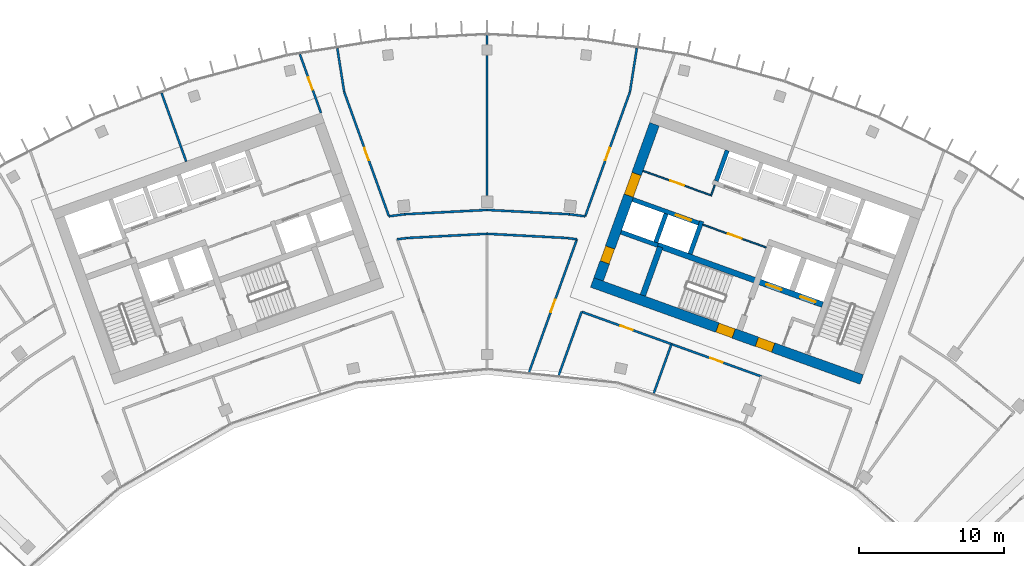
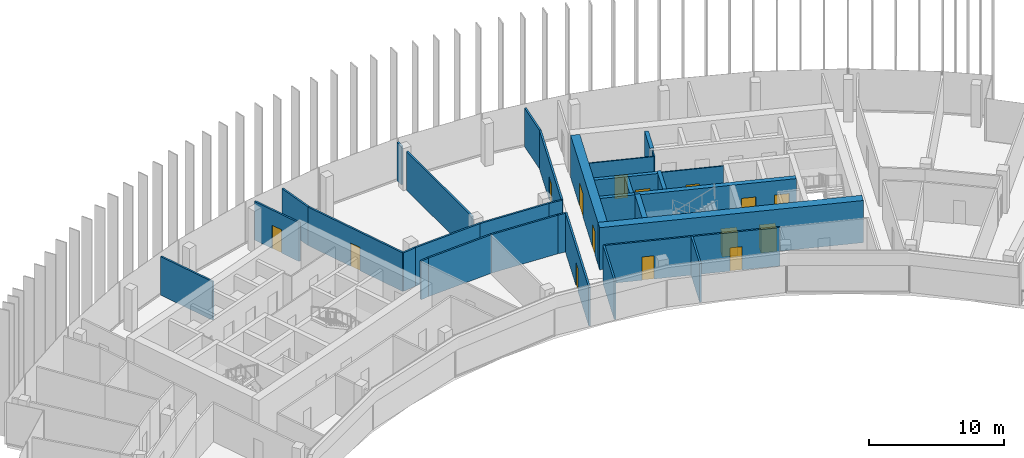
# One storey, part 15 of 19: 33 walls, 15 doors, 15 openings.
"""IFC4 building model written with IfcOpenShell, lengths in metres."""

from ifc_helpers import new_model, si_unit, direction, frame, frame_2d, origin, place, context, subcontext, project, spatial, rectangle, extrude, material, layer, layer_set, type_object, element, fill, save


model = new_model("IFC4")

# Units and contexts
model_context = context("Model", 3, precision=1e-05, world=origin(), true_north=direction((0.0, 1.0)))
body_context = subcontext(model_context, "Body", "Model", "MODEL_VIEW")
ifc_project = project(units=[si_unit("LENGTHUNIT", "METRE"), si_unit("AREAUNIT", "SQUARE_METRE"), si_unit("VOLUMEUNIT", "CUBIC_METRE"), si_unit("PLANEANGLEUNIT", "RADIAN"), si_unit("MASSUNIT", "GRAM", prefix="KILO")], contexts=[model_context])

# Site, building, storey
site_placement = place(None, origin())
site = spatial("IfcSite", under=ifc_project, at=site_placement, CompositionType="ELEMENT")
building_placement = place(site_placement, origin())
building = spatial("IfcBuilding", under=site, at=building_placement, Name="Stone Belt Terrace Tower", CompositionType="ELEMENT")
storey_placement = place(building_placement, frame((0.0, 0.0, 258.0)))
storey = spatial("IfcBuildingStorey", under=building, at=storey_placement, Name="L62", CompositionType="ELEMENT", Elevation=258.0)

# Wall, opening, door
ifc_material_1 = material(Name="Plasterboard partition")
ifc_layer_1 = layer(ifc_material_1, 0.10009765625)
ifc_layer_set_1 = layer_set([ifc_layer_1], Name="Core partition 100")
wall_type_1 = type_object("IfcWallType", Name="Core partition 100", PredefinedType="PARTITIONING", material=ifc_layer_set_1)
wall_1_placement = place(storey_placement, frame((19.29052734375, 51.829833984375, 0.0), z_axis=(0.0, 0.0, 1.0), x_axis=(-0.940930240745, 0.338600475563, 0.0)))
wall_1 = element("IfcWall", 1, at=wall_1_placement, inside=storey, type_object=wall_type_1, Name="Core B wall", PredefinedType="PARTITIONING", context=body_context, shape_type="SweptSolid", body=[
    extrude(rectangle(XDim=4.64990234375, YDim=0.10009765625, at=frame_2d((2.324951171875, 0.0))), origin(), (0.0, 0.0, 1.0), 3.47998046875),
])
opening_1_placement = place(wall_1_placement, frame((1.800048828125, 0.0, 0.0)))
opening_1 = element("IfcOpeningElement", 2, at=opening_1_placement, cuts=wall_1, Name="Opening L62-C12", PredefinedType="OPENING", context=body_context, shape_type="SweptSolid", body=[
    extrude(rectangle(XDim=1.0, YDim=2.10009765625, at=frame_2d((0.5, 1.050048828125))), frame((0.0, 0.06005859375, 0.0), z_axis=(0.0, -1.0, 0.0), x_axis=(1.0, 0.0, 0.0)), (0.0, 0.0, 1.0), 0.1201171875),
])
ifc_material_2 = material(Name="Timber door leaf", Category="wood")
door_type_1 = type_object("IfcDoorType", Name="Core room door 1000", OperationType="SINGLE_SWING_LEFT", PredefinedType="DOOR", material=ifc_material_2)
door_1_placement = place(opening_1_placement, origin())
door_1 = element("IfcDoor", 3, at=door_1_placement, inside=storey, type_object=door_type_1, Name="Door to Pantry core B", OperationType="SINGLE_SWING_RIGHT", OverallHeight=2.10009765625, OverallWidth=1.0, PredefinedType="DOOR", context=body_context, shape_type="SweptSolid", body=[
    extrude(rectangle(XDim=1.0, YDim=2.10009765625, at=frame_2d((0.5, 1.050048828125))), frame((0.0, 0.02490234375, 0.0), z_axis=(0.0, -1.0, 0.0), x_axis=(1.0, 0.0, 0.0)), (0.0, 0.0, 1.0), 0.050048828125),
])
fill(opening_1, door_1)

# Wall
wall_2_placement = place(storey_placement, frame((15.46826171875, 55.384033203125, 0.0), z_axis=(0.0, 0.0, 1.0), x_axis=(0.338481684961, 0.940972979923, 0.0)))
element("IfcWall", 4, at=wall_2_placement, inside=storey, type_object=wall_type_1, Name="Core B wall", PredefinedType="PARTITIONING", context=body_context, shape_type="SweptSolid", body=[
    extrude(rectangle(XDim=0.7998046875, YDim=0.10009765625, at=frame_2d((0.39990234375, 0.0))), origin(), (0.0, 0.0, 1.0), 3.47998046875),
])

# Wall, opening, door
wall_3_placement = place(storey_placement, frame((15.43798828125, 55.447998046875, 0.0), z_axis=(0.0, 0.0, 1.0), x_axis=(-0.940914445113, 0.338644366522, 0.0)))
wall_3 = element("IfcWall", 5, at=wall_3_placement, inside=storey, type_object=wall_type_1, Name="Core B wall", PredefinedType="PARTITIONING", context=body_context, shape_type="SweptSolid", body=[
    extrude(rectangle(XDim=4.949951171875, YDim=0.10009765625, at=frame_2d((2.47509765625, 0.0))), origin(), (0.0, 0.0, 1.0), 3.47998046875),
])
opening_2_placement = place(wall_3_placement, frame((1.949951171875, 0.0, 0.0)))
opening_2 = element("IfcOpeningElement", 6, at=opening_2_placement, cuts=wall_3, Name="Opening L62-C11", PredefinedType="OPENING", context=body_context, shape_type="SweptSolid", body=[
    extrude(rectangle(XDim=1.0, YDim=2.10009765625, at=frame_2d((0.5, 1.050048828125))), frame((0.0, 0.06005859375, 0.0), z_axis=(0.0, -1.0, 0.0), x_axis=(1.0, 0.0, 0.0)), (0.0, 0.0, 1.0), 0.1201171875),
])
door_2_placement = place(opening_2_placement, origin())
door_2 = element("IfcDoor", 7, at=door_2_placement, inside=storey, type_object=door_type_1, Name="Door to Print and copy room core B", OperationType="SINGLE_SWING_RIGHT", OverallHeight=2.10009765625, OverallWidth=1.0, PredefinedType="DOOR", context=body_context, shape_type="SweptSolid", body=[
    extrude(rectangle(XDim=1.0, YDim=2.10009765625, at=frame_2d((0.5, 1.050048828125))), frame((0.0, 0.02490234375, 0.0), z_axis=(0.0, -1.0, 0.0), x_axis=(1.0, 0.0, 0.0)), (0.0, 0.0, 1.0), 0.050048828125),
])
fill(opening_2, door_2)

# Wall, openings, doors
ifc_material_3 = material(Name="Concrete B60", Category="concrete")
ifc_layer_2 = layer(ifc_material_3, 0.699951171875)
ifc_layer_set_2 = layer_set([ifc_layer_2], Name="Core wall 700 B60")
wall_type_2 = type_object("IfcWallType", Name="Core wall 700 B60", PredefinedType="SHEAR", material=ifc_layer_set_2)
wall_4_placement = place(storey_placement, frame((7.260498046875, 49.410400390625, 0.0), z_axis=(0.0, 0.0, 1.0), x_axis=(0.940925130461, -0.338614676094, 0.0)))
wall_4 = element("IfcWall", 8, at=wall_4_placement, inside=storey, type_object=wall_type_2, Name="Core B wall concave L62", PredefinedType="SHEAR", context=body_context, shape_type="SweptSolid", body=[
    extrude(rectangle(XDim=19.800048828125, YDim=0.699951171875, at=frame_2d((9.89990234375, 0.0))), origin(), (0.0, 0.0, 1.0), 3.800048828125),
])
opening_3_placement = place(wall_4_placement, frame((12.10009765625, 0.0, 0.0)))
opening_3 = element("IfcOpeningElement", 9, at=opening_3_placement, cuts=wall_4, Name="Opening L62-C17", PredefinedType="OPENING", context=body_context, shape_type="SweptSolid", body=[
    extrude(rectangle(XDim=1.199951171875, YDim=2.10009765625, at=frame_2d((0.60009765625, 1.050048828125))), frame((0.0, 0.35986328125, 0.0), z_axis=(0.0, -1.0, 0.0), x_axis=(1.0, 0.0, 0.0)), (0.0, 0.0, 1.0), 0.719970703125),
])
opening_4_placement = place(wall_4_placement, frame((9.2001953125, 0.0, 0.0)))
opening_4 = element("IfcOpeningElement", 10, at=opening_4_placement, cuts=wall_4, Name="Opening L62-C19", PredefinedType="OPENING", context=body_context, shape_type="SweptSolid", body=[
    extrude(rectangle(XDim=1.199951171875, YDim=2.10009765625, at=frame_2d((0.60009765625, 1.050048828125))), frame((0.0, 0.35986328125, 0.0), z_axis=(0.0, -1.0, 0.0), x_axis=(1.0, 0.0, 0.0)), (0.0, 0.0, 1.0), 0.719970703125),
])
ifc_material_4 = material(Name="Steel door leaf", Category="steel")
door_type_2 = type_object("IfcDoorType", Name="Fire-fighting lobby door 1200", OperationType="SINGLE_SWING_LEFT", PredefinedType="DOOR", material=ifc_material_4)
door_3_placement = place(opening_3_placement, origin())
door_3 = element("IfcDoor", 11, at=door_3_placement, inside=storey, type_object=door_type_2, Name="Fire-fighting lobby door core B", OperationType="SINGLE_SWING_RIGHT", OverallHeight=2.10009765625, OverallWidth=1.199951171875, PredefinedType="DOOR", context=body_context, shape_type="SweptSolid", body=[
    extrude(rectangle(XDim=1.199951171875, YDim=2.10009765625, at=frame_2d((0.60009765625, 1.050048828125))), frame((0.0, 0.330078125, 0.0), z_axis=(0.0, -1.0, 0.0), x_axis=(1.0, 0.0, 0.0)), (0.0, 0.0, 1.0), 0.659912109375),
])
fill(opening_3, door_3)
door_type_3 = type_object("IfcDoorType", Name="Stair door 1200", OperationType="SINGLE_SWING_LEFT", PredefinedType="DOOR", material=ifc_material_4)
door_4_placement = place(opening_4_placement, origin())
door_4 = element("IfcDoor", 12, at=door_4_placement, inside=storey, type_object=door_type_3, Name="Stair 2 exit door core B", OperationType="SINGLE_SWING_LEFT", OverallHeight=2.10009765625, OverallWidth=1.199951171875, PredefinedType="DOOR", context=body_context, shape_type="SweptSolid", body=[
    extrude(rectangle(XDim=1.199951171875, YDim=2.10009765625, at=frame_2d((0.60009765625, 1.050048828125))), frame((0.0, 0.330078125, 0.0), z_axis=(0.0, -1.0, 0.0), x_axis=(1.0, 0.0, 0.0)), (0.0, 0.0, 1.0), 0.659912109375),
])
fill(opening_4, door_4)

wall_5_placement = place(storey_placement, frame((7.70849609375, 49.621337890625, 0.0), z_axis=(0.0, 0.0, 1.0), x_axis=(0.338606471282, 0.940928083121, 0.0)))
wall_5 = element("IfcWall", 13, at=wall_5_placement, inside=storey, type_object=wall_type_2, Name="Core B wall end_a L62", PredefinedType="SHEAR", context=body_context, shape_type="SweptSolid", body=[
    extrude(rectangle(XDim=11.39990234375, YDim=0.699951171875, at=frame_2d((5.699951171875, 0.0))), origin(), (0.0, 0.0, 1.0), 3.800048828125),
])
opening_5_placement = place(wall_5_placement, frame((6.14990234375, 0.0, 0.0)))
opening_5 = element("IfcOpeningElement", 14, at=opening_5_placement, cuts=wall_5, Name="Opening L62-C14", PredefinedType="OPENING", context=body_context, shape_type="SweptSolid", body=[
    extrude(rectangle(XDim=1.60009765625, YDim=2.10009765625, at=frame_2d((0.800048828125, 1.050048828125))), frame((0.0, 0.35986328125, 0.0), z_axis=(0.0, -1.0, 0.0), x_axis=(1.0, 0.0, 0.0)), (0.0, 0.0, 1.0), 0.719970703125),
])
opening_6_placement = place(wall_5_placement, frame((1.25, 0.0, 0.0)))
opening_6 = element("IfcOpeningElement", 15, at=opening_6_placement, cuts=wall_5, Name="Opening L62-C20", PredefinedType="OPENING", context=body_context, shape_type="SweptSolid", body=[
    extrude(rectangle(XDim=1.10009765625, YDim=2.10009765625, at=frame_2d((0.550048828125, 1.050048828125))), frame((0.0, 0.35986328125, 0.0), z_axis=(0.0, -1.0, 0.0), x_axis=(1.0, 0.0, 0.0)), (0.0, 0.0, 1.0), 0.719970703125),
])
door_type_4 = type_object("IfcDoorType", Name="Core room door 1100", OperationType="SINGLE_SWING_LEFT", PredefinedType="DOOR", material=ifc_material_2)
door_5_placement = place(opening_6_placement, origin())
door_5 = element("IfcDoor", 16, at=door_5_placement, inside=storey, type_object=door_type_4, Name="Door to Electrical riser room core B", OperationType="SINGLE_SWING_RIGHT", OverallHeight=2.10009765625, OverallWidth=1.10009765625, PredefinedType="DOOR", context=body_context, shape_type="SweptSolid", body=[
    extrude(rectangle(XDim=1.10009765625, YDim=2.10009765625, at=frame_2d((0.550048828125, 1.050048828125))), frame((0.0, 0.330078125, 0.0), z_axis=(0.0, -1.0, 0.0), x_axis=(1.0, 0.0, 0.0)), (0.0, 0.0, 1.0), 0.659912109375),
])
fill(opening_6, door_5)
ifc_material_5 = material(Name="Glazed aluminium door leaf", Category="aluminium")
door_type_5 = type_object("IfcDoorType", Name="Lift lobby entrance door 1600", OperationType="DOUBLE_DOOR_SINGLE_SWING", PredefinedType="DOOR", material=ifc_material_5)
door_6_placement = place(opening_5_placement, origin())
door_6 = element("IfcDoor", 17, at=door_6_placement, inside=storey, type_object=door_type_5, Name="Lift lobby entrance door core B", OperationType="DOUBLE_DOOR_SINGLE_SWING", OverallHeight=2.10009765625, OverallWidth=1.60009765625, PredefinedType="DOOR", context=body_context, shape_type="SweptSolid", body=[
    extrude(rectangle(XDim=1.60009765625, YDim=2.10009765625, at=frame_2d((0.800048828125, 1.050048828125))), frame((0.0, 0.330078125, 0.0), z_axis=(0.0, -1.0, 0.0), x_axis=(1.0, 0.0, 0.0)), (0.0, 0.0, 1.0), 0.659912109375),
])
fill(opening_5, door_6)

# Wall
ifc_material_6 = material(Name="Concrete B80", Category="concrete")
ifc_layer_3 = layer(ifc_material_6, 0.300048828125)
ifc_layer_set_3 = layer_set([ifc_layer_3], Name="Lift shaft wall 300")
wall_type_3 = type_object("IfcWallType", Name="Lift shaft wall 300", PredefinedType="SHEAR", material=ifc_layer_set_3)
wall_6_placement = place(storey_placement, frame((14.029052734375, 51.38525390625, 0.0), z_axis=(0.0, 0.0, 1.0), x_axis=(0.338661829791, 0.940908159728, 0.0)))
element("IfcWall", 18, at=wall_6_placement, inside=storey, type_object=wall_type_3, Name="Core B wall", PredefinedType="SHEAR", context=body_context, shape_type="SweptSolid", body=[
    extrude(rectangle(XDim=2.39990234375, YDim=0.300048828125, at=frame_2d((1.199951171875, 0.0))), origin(), (0.0, 0.0, 1.0), 3.47998046875),
])

# Wall, opening, door
wall_7_placement = place(storey_placement, frame((14.6328125, 53.506103515625, 0.0), z_axis=(0.0, 0.0, 1.0), x_axis=(-0.940931684323, 0.338596464007, 0.0)))
wall_7 = element("IfcWall", 19, at=wall_7_placement, inside=storey, type_object=wall_type_3, Name="Core B wall", PredefinedType="SHEAR", context=body_context, shape_type="SweptSolid", body=[
    extrude(rectangle(XDim=4.849609375, YDim=0.300048828125, at=frame_2d((2.4248046875, 0.0))), origin(), (0.0, 0.0, 1.0), 3.47998046875),
])
opening_7_placement = place(wall_7_placement, frame((0.570068359375, 0.0, 0.0)))
opening_7 = element("IfcOpeningElement", 20, at=opening_7_placement, cuts=wall_7, Name="Opening L62-LD15", PredefinedType="OPENING", context=body_context, shape_type="SweptSolid", body=[
    extrude(rectangle(XDim=1.10009765625, YDim=2.199951171875, at=frame_2d((0.550048828125, 1.10009765625))), frame((0.0, 0.159912109375, 0.0), z_axis=(0.0, -1.0, 0.0), x_axis=(1.0, 0.0, 0.0)), (0.0, 0.0, 1.0), 0.320068359375),
])
ifc_material_7 = material(Name="Stainless steel door leaf", Category="steel")
door_type_6 = type_object("IfcDoorType", Name="Landing door 1100", OperationType="SLIDING_TO_LEFT", PredefinedType="DOOR", material=ifc_material_7)
door_7_placement = place(opening_7_placement, origin())
door_7 = element("IfcDoor", 21, at=door_7_placement, inside=storey, type_object=door_type_6, Name="Landing door SH1 core B", OperationType="SLIDING_TO_LEFT", OverallHeight=2.199951171875, OverallWidth=1.10009765625, PredefinedType="DOOR", context=body_context, shape_type="SweptSolid", body=[
    extrude(rectangle(XDim=1.10009765625, YDim=2.199951171875, at=frame_2d((0.550048828125, 1.10009765625))), frame((0.0, 0.02490234375, 0.0), z_axis=(0.0, -1.0, 0.0), x_axis=(1.0, 0.0, 0.0)), (0.0, 0.0, 1.0), 0.050048828125),
])
fill(opening_7, door_7)

# Walls
wall_8_placement = place(storey_placement, frame((15.8408203125, 56.419189453125, 0.0), z_axis=(0.0, 0.0, 1.0), x_axis=(0.338569601369, 0.940941350472, 0.0)))
element("IfcWall", 22, at=wall_8_placement, inside=storey, type_object=wall_type_3, Name="Core B wall", PredefinedType="SHEAR", context=body_context, shape_type="SweptSolid", body=[
    extrude(rectangle(XDim=2.249755859375, YDim=0.300048828125, at=frame_2d((1.125, 0.0))), origin(), (0.0, 0.0, 1.0), 3.47998046875),
])
wall_9_placement = place(storey_placement, frame((11.797119140625, 51.975830078125, 0.0), z_axis=(0.0, 0.0, 1.0), x_axis=(-0.940910465161, 0.33865542451, 0.0)))
element("IfcWall", 23, at=wall_9_placement, inside=storey, type_object=wall_type_3, Name="Core B wall", PredefinedType="SHEAR", context=body_context, shape_type="SweptSolid", body=[
    extrude(rectangle(XDim=2.69970703125, YDim=0.300048828125, at=frame_2d((1.349853515625, 0.0))), origin(), (0.0, 0.0, 1.0), 3.47998046875),
])
wall_10_placement = place(storey_placement, frame((11.659912109375, 52.184814453125, 0.0), z_axis=(0.0, 0.0, 1.0), x_axis=(0.338670064856, 0.940905195634, 0.0)))
element("IfcWall", 24, at=wall_10_placement, inside=storey, type_object=wall_type_3, Name="Core B wall", PredefinedType="SHEAR", context=body_context, shape_type="SweptSolid", body=[
    extrude(rectangle(XDim=2.099853515625, YDim=0.300048828125, at=frame_2d((1.0498046875, 0.0))), origin(), (0.0, 0.0, 1.0), 3.47998046875),
])

# Wall, opening, door
ifc_material_8 = material(Name="Gypsum board partition")
ifc_layer_4 = layer(ifc_material_8, 0.14990234375)
ifc_layer_set_4 = layer_set([ifc_layer_4], Name="PARTITION 150 EI 60")
wall_type_4 = type_object("IfcWallType", Name="PARTITION 150 EI 60", PredefinedType="PARTITIONING", material=ifc_layer_set_4)
wall_11_placement = place(storey_placement, frame((-11.47607421875, 61.125, 0.0), z_axis=(0.0, 0.0, 1.0), x_axis=(-0.338779570005, 0.940865773077, 0.0)))
wall_11 = element("IfcWall", 25, at=wall_11_placement, inside=storey, type_object=wall_type_4, Name="L62/wall/i010", PredefinedType="PARTITIONING", context=body_context, shape_type="SweptSolid", body=[
    extrude(rectangle(XDim=4.315185546875, YDim=0.14990234375, at=frame_2d((2.15771484375, 0.0))), origin(), (0.0, 0.0, 1.0), 3.47998046875),
])
opening_8_placement = place(wall_11_placement, frame((1.70751953125, 0.0, 0.0)))
opening_8 = element("IfcOpeningElement", 26, at=opening_8_placement, cuts=wall_11, Name="Opening D-SK2-05", PredefinedType="OPENING", context=body_context, shape_type="SweptSolid", body=[
    extrude(rectangle(XDim=0.89990234375, YDim=2.10009765625, at=frame_2d((0.449951171875, 1.050048828125))), frame((0.0, 0.0849609375, 0.0), z_axis=(0.0, -1.0, 0.0), x_axis=(1.0, 0.0, 0.0)), (0.0, 0.0, 1.0), 0.169921875),
])
door_type_7 = type_object("IfcDoorType", Name="OFFICE DOOR 900 X 2100", OperationType="NOTDEFINED", PredefinedType="DOOR", material=ifc_material_2)
door_8_placement = place(opening_8_placement, origin())
door_8 = element("IfcDoor", 27, at=door_8_placement, inside=storey, type_object=door_type_7, Name="L62/door/i05", OperationType="SINGLE_SWING_RIGHT", OverallHeight=2.10009765625, OverallWidth=0.89990234375, PredefinedType="DOOR", context=body_context, shape_type="SweptSolid", body=[
    extrude(rectangle(XDim=0.89990234375, YDim=2.10009765625, at=frame_2d((0.449951171875, 1.050048828125))), frame((0.0, 0.02490234375, 0.0), z_axis=(0.0, -1.0, 0.0), x_axis=(1.0, 0.0, 0.0)), (0.0, 0.0, 1.0), 0.050048828125),
])
fill(opening_8, door_8)

# Wall
wall_12_placement = place(storey_placement, frame((-10.349609375, 65.5966796875, 0.0), z_axis=(0.0, 0.0, 1.0), x_axis=(0.156048605316, -0.987749377514, 0.0)))
element("IfcWall", 28, at=wall_12_placement, inside=storey, type_object=wall_type_4, Name="L62/wall/i012", PredefinedType="PARTITIONING", context=body_context, shape_type="SweptSolid", body=[
    extrude(rectangle(XDim=3.060302734375, YDim=0.14990234375, at=frame_2d((1.5302734375, 0.0))), origin(), (0.0, 0.0, 1.0), 3.47998046875),
])

# Wall, opening, door
wall_13_placement = place(storey_placement, frame((-9.8720703125, 62.572998046875, 0.0), z_axis=(0.0, 0.0, 1.0), x_axis=(0.33860589447, -0.940928290695, 0.0)))
wall_13 = element("IfcWall", 29, at=wall_13_placement, inside=storey, type_object=wall_type_4, Name="L62/wall/i013", PredefinedType="PARTITIONING", context=body_context, shape_type="SweptSolid", body=[
    extrude(rectangle(XDim=9.134521484375, YDim=0.14990234375, at=frame_2d((4.5673828125, 0.0))), origin(), (0.0, 0.0, 1.0), 3.47998046875),
])
opening_9_placement = place(wall_13_placement, frame((4.1171875, 0.0, 0.0)))
opening_9 = element("IfcOpeningElement", 30, at=opening_9_placement, cuts=wall_13, Name="Opening D-SK2-24", PredefinedType="OPENING", context=body_context, shape_type="SweptSolid", body=[
    extrude(rectangle(XDim=0.89990234375, YDim=2.10009765625, at=frame_2d((0.449951171875, 1.050048828125))), frame((0.0, 0.0849609375, 0.0), z_axis=(0.0, -1.0, 0.0), x_axis=(1.0, 0.0, 0.0)), (0.0, 0.0, 1.0), 0.169921875),
])
door_9_placement = place(opening_9_placement, origin())
door_9 = element("IfcDoor", 31, at=door_9_placement, inside=storey, type_object=door_type_7, Name="L62/door/i24", OperationType="SINGLE_SWING_RIGHT", OverallHeight=2.10009765625, OverallWidth=0.89990234375, PredefinedType="DOOR", context=body_context, shape_type="SweptSolid", body=[
    extrude(rectangle(XDim=0.89990234375, YDim=2.10009765625, at=frame_2d((0.449951171875, 1.050048828125))), frame((0.0, 0.02490234375, 0.0), z_axis=(0.0, -1.0, 0.0), x_axis=(1.0, 0.0, 0.0)), (0.0, 0.0, 1.0), 0.050048828125),
])
fill(opening_9, door_9)

# Walls
wall_14_placement = place(storey_placement, frame((-22.492919921875, 62.4990234375, 0.0), z_axis=(0.0, 0.0, 1.0), x_axis=(0.33863857163, -0.940916530732, 0.0)))
element("IfcWall", 32, at=wall_14_placement, inside=storey, type_object=wall_type_4, Name="L62/wall/i020", PredefinedType="PARTITIONING", context=body_context, shape_type="SweptSolid", body=[
    extrude(rectangle(XDim=5.02294921875, YDim=0.14990234375, at=frame_2d((2.511474609375, 0.0))), origin(), (0.0, 0.0, 1.0), 3.47998046875),
])
wall_15_placement = place(storey_placement, frame((6.534912109375, 47.39404296875, 0.0), z_axis=(0.0, 0.0, 1.0), x_axis=(-0.338699196287, -0.940894709537, 0.0)))
element("IfcWall", 33, at=wall_15_placement, inside=storey, type_object=wall_type_4, Name="L62/wall/i021", PredefinedType="PARTITIONING", context=body_context, shape_type="SweptSolid", body=[
    extrude(rectangle(XDim=4.691162109375, YDim=0.14990234375, at=frame_2d((2.345703125, 0.0))), origin(), (0.0, 0.0, 1.0), 3.47998046875),
])

# Wall, opening, door
wall_16_placement = place(storey_placement, frame((2.8974609375, 43.195556640625, 0.0), z_axis=(0.0, 0.0, 1.0), x_axis=(0.338711514657, 0.940890275132, 0.0)))
wall_16 = element("IfcWall", 34, at=wall_16_placement, inside=storey, type_object=wall_type_4, Name="L62/wall/i023", PredefinedType="PARTITIONING", context=body_context, shape_type="SweptSolid", body=[
    extrude(rectangle(XDim=9.782470703125, YDim=0.14990234375, at=frame_2d((4.89111328125, 0.0))), origin(), (0.0, 0.0, 1.0), 3.47998046875),
])
opening_10_placement = place(wall_16_placement, frame((4.44140625, 0.0, 0.0)))
opening_10 = element("IfcOpeningElement", 35, at=opening_10_placement, cuts=wall_16, Name="Opening D-SK2-23", PredefinedType="OPENING", context=body_context, shape_type="SweptSolid", body=[
    extrude(rectangle(XDim=0.89990234375, YDim=2.10009765625, at=frame_2d((0.449951171875, 1.050048828125))), frame((0.0, 0.0849609375, 0.0), z_axis=(0.0, -1.0, 0.0), x_axis=(1.0, 0.0, 0.0)), (0.0, 0.0, 1.0), 0.169921875),
])
door_10_placement = place(opening_10_placement, origin())
door_10 = element("IfcDoor", 36, at=door_10_placement, inside=storey, type_object=door_type_7, Name="L62/door/i23", OperationType="SINGLE_SWING_RIGHT", OverallHeight=2.10009765625, OverallWidth=0.89990234375, PredefinedType="DOOR", context=body_context, shape_type="SweptSolid", body=[
    extrude(rectangle(XDim=0.89990234375, YDim=2.10009765625, at=frame_2d((0.449951171875, 1.050048828125))), frame((0.0, 0.02490234375, 0.0), z_axis=(0.0, -1.0, 0.0), x_axis=(1.0, 0.0, 0.0)), (0.0, 0.0, 1.0), 0.050048828125),
])
fill(opening_10, door_10)

wall_17_placement = place(storey_placement, frame((6.779052734375, 53.97802734375, 0.0), z_axis=(0.0, 0.0, 1.0), x_axis=(0.33860589447, 0.940928290695, 0.0)))
wall_17 = element("IfcWall", 37, at=wall_17_placement, inside=storey, type_object=wall_type_4, Name="L62/wall/i024", PredefinedType="PARTITIONING", context=body_context, shape_type="SweptSolid", body=[
    extrude(rectangle(XDim=9.134521484375, YDim=0.14990234375, at=frame_2d((4.5673828125, 0.0))), origin(), (0.0, 0.0, 1.0), 3.47998046875),
])
opening_11_placement = place(wall_17_placement, frame((4.1171875, 0.0, 0.0)))
opening_11 = element("IfcOpeningElement", 38, at=opening_11_placement, cuts=wall_17, Name="Opening D-SK2-25", PredefinedType="OPENING", context=body_context, shape_type="SweptSolid", body=[
    extrude(rectangle(XDim=0.89990234375, YDim=2.10009765625, at=frame_2d((0.449951171875, 1.050048828125))), frame((0.0, 0.0849609375, 0.0), z_axis=(0.0, -1.0, 0.0), x_axis=(1.0, 0.0, 0.0)), (0.0, 0.0, 1.0), 0.169921875),
])
door_11_placement = place(opening_11_placement, origin())
door_11 = element("IfcDoor", 39, at=door_11_placement, inside=storey, type_object=door_type_7, Name="L62/door/i25", OperationType="SINGLE_SWING_RIGHT", OverallHeight=2.10009765625, OverallWidth=0.89990234375, PredefinedType="DOOR", context=body_context, shape_type="SweptSolid", body=[
    extrude(rectangle(XDim=0.89990234375, YDim=2.10009765625, at=frame_2d((0.449951171875, 1.050048828125))), frame((0.0, 0.02490234375, 0.0), z_axis=(0.0, -1.0, 0.0), x_axis=(1.0, 0.0, 0.0)), (0.0, 0.0, 1.0), 0.050048828125),
])
fill(opening_11, door_11)

# Wall
wall_18_placement = place(storey_placement, frame((9.8720703125, 62.573974609375, 0.0), z_axis=(0.0, 0.0, 1.0), x_axis=(0.156048605316, 0.987749377514, 0.0)))
element("IfcWall", 40, at=wall_18_placement, inside=storey, type_object=wall_type_4, Name="L62/wall/i025", PredefinedType="PARTITIONING", context=body_context, shape_type="SweptSolid", body=[
    extrude(rectangle(XDim=3.060302734375, YDim=0.14990234375, at=frame_2d((1.5302734375, 0.0))), origin(), (0.0, 0.0, 1.0), 3.47998046875),
])

# Wall, opening, door
wall_19_placement = place(storey_placement, frame((12.7490234375, 45.15087890625, 0.0), z_axis=(0.0, 0.0, 1.0), x_axis=(-0.940922268526, 0.338622628589, 0.0)))
wall_19 = element("IfcWall", 41, at=wall_19_placement, inside=storey, type_object=wall_type_4, Name="L62/wall/i032", PredefinedType="PARTITIONING", context=body_context, shape_type="SweptSolid", body=[
    extrude(rectangle(XDim=6.6064453125, YDim=0.14990234375, at=frame_2d((3.30322265625, 0.0))), origin(), (0.0, 0.0, 1.0), 3.47998046875),
])
opening_12_placement = place(wall_19_placement, frame((2.85302734375, 0.0, 0.0)))
opening_12 = element("IfcOpeningElement", 42, at=opening_12_placement, cuts=wall_19, Name="Opening D-SK2-06", PredefinedType="OPENING", context=body_context, shape_type="SweptSolid", body=[
    extrude(rectangle(XDim=0.89990234375, YDim=2.10009765625, at=frame_2d((0.449951171875, 1.050048828125))), frame((0.0, 0.0849609375, 0.0), z_axis=(0.0, -1.0, 0.0), x_axis=(1.0, 0.0, 0.0)), (0.0, 0.0, 1.0), 0.169921875),
])
door_12_placement = place(opening_12_placement, origin())
door_12 = element("IfcDoor", 43, at=door_12_placement, inside=storey, type_object=door_type_7, Name="L62/door/i06", OperationType="SINGLE_SWING_RIGHT", OverallHeight=2.10009765625, OverallWidth=0.89990234375, PredefinedType="DOOR", context=body_context, shape_type="SweptSolid", body=[
    extrude(rectangle(XDim=0.89990234375, YDim=2.10009765625, at=frame_2d((0.449951171875, 1.050048828125))), frame((0.0, 0.02490234375, 0.0), z_axis=(0.0, -1.0, 0.0), x_axis=(1.0, 0.0, 0.0)), (0.0, 0.0, 1.0), 0.050048828125),
])
fill(opening_12, door_12)

wall_20_placement = place(storey_placement, frame((18.958984375, 42.916015625, 0.0), z_axis=(0.0, 0.0, 1.0), x_axis=(-0.940929764212, 0.338601799788, 0.0)))
wall_20 = element("IfcWall", 44, at=wall_20_placement, inside=storey, type_object=wall_type_4, Name="L62/wall/i033", PredefinedType="PARTITIONING", context=body_context, shape_type="SweptSolid", body=[
    extrude(rectangle(XDim=6.612548828125, YDim=0.14990234375, at=frame_2d((3.30615234375, 0.0))), origin(), (0.0, 0.0, 1.0), 3.47998046875),
])
opening_13_placement = place(wall_20_placement, frame((2.856201171875, 0.0, 0.0)))
opening_13 = element("IfcOpeningElement", 45, at=opening_13_placement, cuts=wall_20, Name="Opening D-SK2-07", PredefinedType="OPENING", context=body_context, shape_type="SweptSolid", body=[
    extrude(rectangle(XDim=0.89990234375, YDim=2.10009765625, at=frame_2d((0.449951171875, 1.050048828125))), frame((0.0, 0.0849609375, 0.0), z_axis=(0.0, -1.0, 0.0), x_axis=(1.0, 0.0, 0.0)), (0.0, 0.0, 1.0), 0.169921875),
])
door_13_placement = place(opening_13_placement, origin())
door_13 = element("IfcDoor", 46, at=door_13_placement, inside=storey, type_object=door_type_7, Name="L62/door/i07", OperationType="SINGLE_SWING_RIGHT", OverallHeight=2.10009765625, OverallWidth=0.89990234375, PredefinedType="DOOR", context=body_context, shape_type="SweptSolid", body=[
    extrude(rectangle(XDim=0.89990234375, YDim=2.10009765625, at=frame_2d((0.449951171875, 1.050048828125))), frame((0.0, 0.02490234375, 0.0), z_axis=(0.0, -1.0, 0.0), x_axis=(1.0, 0.0, 0.0)), (0.0, 0.0, 1.0), 0.050048828125),
])
fill(opening_13, door_13)

# Walls
wall_21_placement = place(storey_placement, frame((12.742919921875, 45.153076171875, 0.0), z_axis=(0.0, 0.0, 1.0), x_axis=(-0.338612024212, -0.940926084801, 0.0)))
element("IfcWall", 47, at=wall_21_placement, inside=storey, type_object=wall_type_4, Name="L62/wall/i035", PredefinedType="PARTITIONING", context=body_context, shape_type="SweptSolid", body=[
    extrude(rectangle(XDim=3.620849609375, YDim=0.14990234375, at=frame_2d((1.810546875, 0.0))), origin(), (0.0, 0.0, 1.0), 3.47998046875),
])
wall_22_placement = place(storey_placement, frame((0.0, 52.77490234375, 0.0), z_axis=(0.0, 0.0, 1.0), x_axis=(-0.998632077757, -0.052287410285, 0.0)))
element("IfcWall", 48, at=wall_22_placement, inside=storey, type_object=wall_type_4, Name="L62/wall/i066", PredefinedType="PARTITIONING", context=body_context, shape_type="SweptSolid", body=[
    extrude(rectangle(XDim=5.523681640625, YDim=0.14990234375, at=frame_2d((2.76171875, 0.0))), origin(), (0.0, 0.0, 1.0), 3.47998046875),
])
for number, where, z_axis, x_axis, name in (
    (49, (-5.51611328125, 52.486083984375, 0.0), (0.0, 0.0, 1.0), (-0.991473310532, -0.130309917135, 0.0), "L62/wall/i067"),
    (50, (6.208984375, 52.39501953125, 0.0), (0.0, 0.0, 1.0), (-0.991473310532, 0.130309917135, 0.0), "L62/wall/i068"),
):
    element("IfcWall", number, at=place(storey_placement, frame(where, z_axis=z_axis, x_axis=x_axis)), inside=storey, type_object=wall_type_4, Name=name, PredefinedType="PARTITIONING", context=body_context, shape_type="SweptSolid", body=[
        extrude(rectangle(XDim=0.69873046875, YDim=0.14990234375, at=frame_2d((0.349365234375, 0.0))), origin(), (0.0, 0.0, 1.0), 3.47998046875),
    ])
wall_23_placement = place(storey_placement, frame((5.51611328125, 52.486083984375, 0.0), z_axis=(0.0, 0.0, 1.0), x_axis=(-0.998632077757, 0.052287410285, 0.0)))
element("IfcWall", 51, at=wall_23_placement, inside=storey, type_object=wall_type_4, Name="L62/wall/i069", PredefinedType="PARTITIONING", context=body_context, shape_type="SweptSolid", body=[
    extrude(rectangle(XDim=5.523681640625, YDim=0.14990234375, at=frame_2d((2.76171875, 0.0))), origin(), (0.0, 0.0, 1.0), 3.47998046875),
])
wall_24_placement = place(storey_placement, frame((-6.781005859375, 53.98388671875, 0.0), z_axis=(0.0, 0.0, 1.0), x_axis=(0.99152732514, 0.129898281362, 0.0)))
element("IfcWall", 52, at=wall_24_placement, inside=storey, type_object=wall_type_4, Name="L62/wall/i070", PredefinedType="PARTITIONING", context=body_context, shape_type="SweptSolid", body=[
    extrude(rectangle(XDim=1.101318359375, YDim=0.14990234375, at=frame_2d((0.55078125, 0.0))), origin(), (0.0, 0.0, 1.0), 3.47998046875),
])
for number, where, z_axis, x_axis, name in (
    (53, (-5.68896484375, 54.126953125, 0.0), (0.0, 0.0, 1.0), (0.998629996285, 0.052327148977, 0.0), "L62/wall/i071"),
    (54, (0.0, 54.425048828125, 0.0), (0.0, 0.0, 1.0), (0.998629996285, -0.052327148977, 0.0), "L62/wall/i072"),
):
    element("IfcWall", number, at=place(storey_placement, frame(where, z_axis=z_axis, x_axis=x_axis)), inside=storey, type_object=wall_type_4, Name=name, PredefinedType="PARTITIONING", context=body_context, shape_type="SweptSolid", body=[
        extrude(rectangle(XDim=5.69677734375, YDim=0.14990234375, at=frame_2d((2.848388671875, 0.0))), origin(), (0.0, 0.0, 1.0), 3.47998046875),
    ])
wall_25_placement = place(storey_placement, frame((5.68896484375, 54.126953125, 0.0), z_axis=(0.0, 0.0, 1.0), x_axis=(0.99152732514, -0.129898281362, 0.0)))
element("IfcWall", 55, at=wall_25_placement, inside=storey, type_object=wall_type_4, Name="L62/wall/i073", PredefinedType="PARTITIONING", context=body_context, shape_type="SweptSolid", body=[
    extrude(rectangle(XDim=1.101318359375, YDim=0.14990234375, at=frame_2d((0.55078125, 0.0))), origin(), (0.0, 0.0, 1.0), 3.47998046875),
])
wall_26_placement = place(storey_placement, frame((0.0, 66.5, 0.0), z_axis=(0.0, 0.0, 1.0), x_axis=(0.0, -1.0, 0.0)))
element("IfcWall", 56, at=wall_26_placement, inside=storey, type_object=wall_type_4, Name="L62/wall/i076", PredefinedType="PARTITIONING", context=body_context, shape_type="SweptSolid", body=[
    extrude(rectangle(XDim=0.631103515625, YDim=0.14990234375, at=frame_2d((0.3154296875, 0.0))), origin(), (0.0, 0.0, 1.0), 3.47998046875),
])
wall_27_placement = place(storey_placement, frame((0.0, 65.10888671875, 0.0), z_axis=(0.0, 0.0, 1.0), x_axis=(0.0, -1.0, 0.0)))
element("IfcWall", 57, at=wall_27_placement, inside=storey, type_object=wall_type_4, Name="L62/wall/i077", PredefinedType="PARTITIONING", context=body_context, shape_type="SweptSolid", body=[
    extrude(rectangle(XDim=9.678955078125, YDim=0.14990234375, at=frame_2d((4.83935546875, 0.0))), origin(), (0.0, 0.0, 1.0), 3.47998046875),
])

# Wall, openings, doors
ifc_layer_5 = layer(ifc_material_6, 0.39990234375)
ifc_layer_set_5 = layer_set([ifc_layer_5], Name="Stair enclosure wall 400")
wall_type_5 = type_object("IfcWallType", Name="Stair enclosure wall 400", PredefinedType="SHEAR", material=ifc_layer_set_5)
wall_28_placement = place(storey_placement, frame((23.182373046875, 47.87841796875, 0.0), z_axis=(0.0, 0.0, 1.0), x_axis=(-0.940921101762, 0.338625870628, 0.0)))
wall_28 = element("IfcWall", 58, at=wall_28_placement, inside=storey, type_object=wall_type_5, Name="Core B wall", PredefinedType="SHEAR", context=body_context, shape_type="SweptSolid", body=[
    extrude(rectangle(XDim=12.10009765625, YDim=0.39990234375, at=frame_2d((6.050048828125, 0.0))), origin(), (0.0, 0.0, 1.0), 3.47998046875),
])
opening_14_placement = place(wall_28_placement, frame((0.52001953125, 0.0, 0.0)))
opening_14 = element("IfcOpeningElement", 59, at=opening_14_placement, cuts=wall_28, Name="Opening L62-LD13", PredefinedType="OPENING", context=body_context, shape_type="SweptSolid", body=[
    extrude(rectangle(XDim=1.10009765625, YDim=2.199951171875, at=frame_2d((0.550048828125, 1.10009765625))), frame((0.0, 0.2099609375, 0.0), z_axis=(0.0, -1.0, 0.0), x_axis=(1.0, 0.0, 0.0)), (0.0, 0.0, 1.0), 0.419921875),
])
opening_15_placement = place(wall_28_placement, frame((3.02001953125, 0.0, 0.0)))
opening_15 = element("IfcOpeningElement", 60, at=opening_15_placement, cuts=wall_28, Name="Opening L62-LD14", PredefinedType="OPENING", context=body_context, shape_type="SweptSolid", body=[
    extrude(rectangle(XDim=1.10009765625, YDim=2.199951171875, at=frame_2d((0.550048828125, 1.10009765625))), frame((0.0, 0.2099609375, 0.0), z_axis=(0.0, -1.0, 0.0), x_axis=(1.0, 0.0, 0.0)), (0.0, 0.0, 1.0), 0.419921875),
])
door_14_placement = place(opening_14_placement, origin())
door_14 = element("IfcDoor", 61, at=door_14_placement, inside=storey, type_object=door_type_6, Name="Landing door FF1 core B", OperationType="SLIDING_TO_LEFT", OverallHeight=2.199951171875, OverallWidth=1.10009765625, PredefinedType="DOOR", context=body_context, shape_type="SweptSolid", body=[
    extrude(rectangle(XDim=1.10009765625, YDim=2.199951171875, at=frame_2d((0.550048828125, 1.10009765625))), frame((0.0, 0.02490234375, 0.0), z_axis=(0.0, -1.0, 0.0), x_axis=(1.0, 0.0, 0.0)), (0.0, 0.0, 1.0), 0.050048828125),
])
fill(opening_14, door_14)
door_15_placement = place(opening_15_placement, origin())
door_15 = element("IfcDoor", 62, at=door_15_placement, inside=storey, type_object=door_type_6, Name="Landing door FF2 core B", OperationType="SLIDING_TO_LEFT", OverallHeight=2.199951171875, OverallWidth=1.10009765625, PredefinedType="DOOR", context=body_context, shape_type="SweptSolid", body=[
    extrude(rectangle(XDim=1.10009765625, YDim=2.199951171875, at=frame_2d((0.550048828125, 1.10009765625))), frame((0.0, 0.02490234375, 0.0), z_axis=(0.0, -1.0, 0.0), x_axis=(1.0, 0.0, 0.0)), (0.0, 0.0, 1.0), 0.050048828125),
])
fill(opening_15, door_15)

# Wall
wall_29_placement = place(storey_placement, frame((10.766357421875, 48.520751953125, 0.0), z_axis=(0.0, 0.0, 1.0), x_axis=(0.338626928157, 0.94092072117, 0.0)))
element("IfcWall", 63, at=wall_29_placement, inside=storey, type_object=wall_type_5, Name="Core B wall", PredefinedType="SHEAR", context=body_context, shape_type="SweptSolid", body=[
    extrude(rectangle(XDim=3.550048828125, YDim=0.39990234375, at=frame_2d((1.77490234375, 0.0))), origin(), (0.0, 0.0, 1.0), 3.47998046875),
])

save(model, "model.ifc")
